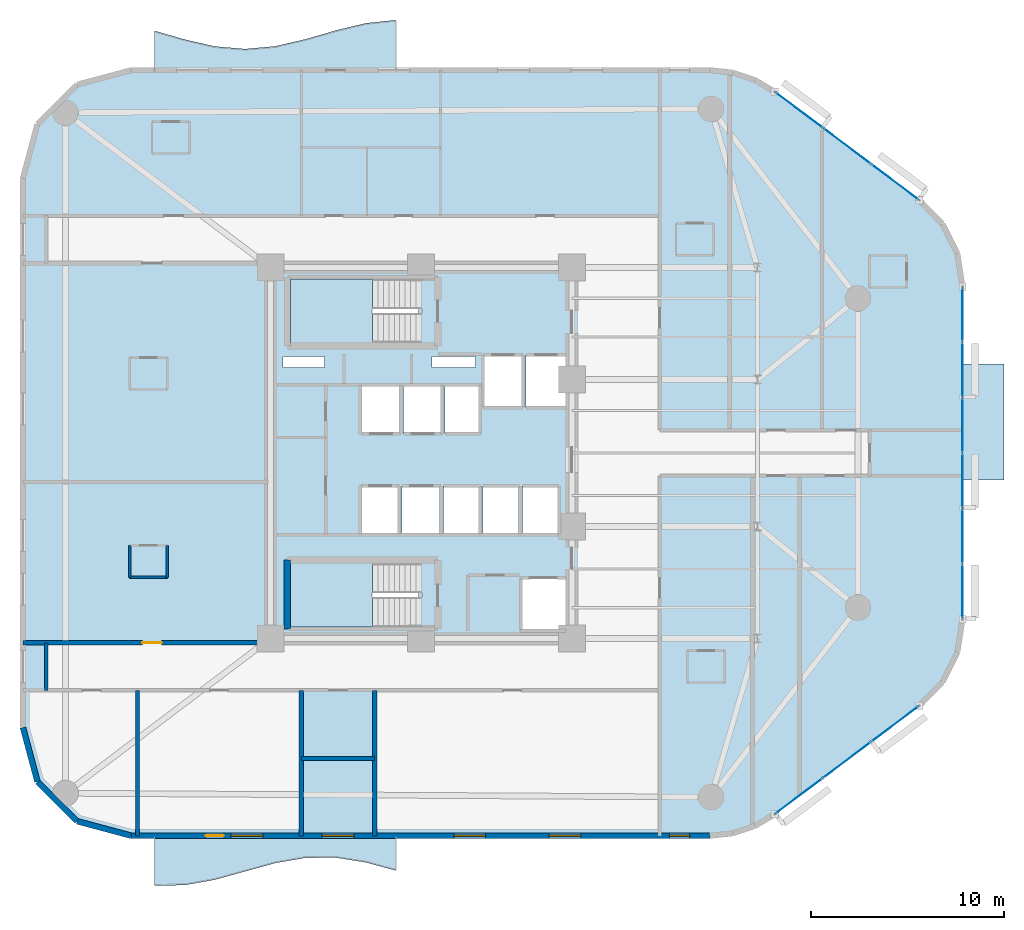
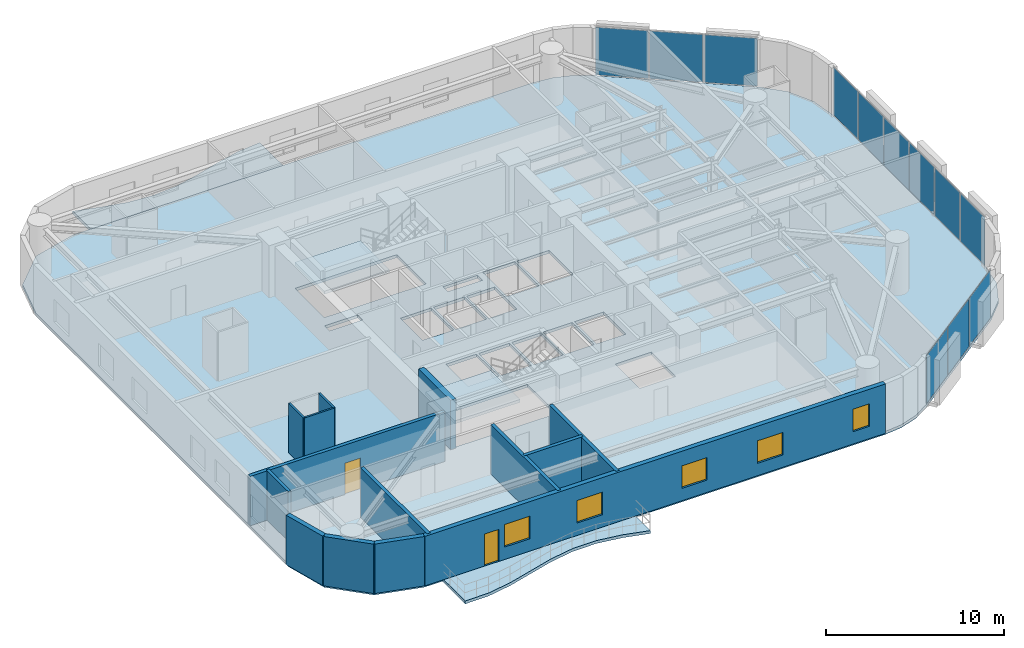
# One storey, part 9 of 16: 14 walls, 12 plates, 6 slabs, 5 windows, 2 doors, 7 openings, 5 elements without a shape of their own.
"""IFC4 building model written with IfcOpenShell, lengths in metres."""

from ifc_helpers import new_model, si_unit, direction, frame, frame_2d, origin, origin_2d, place, context, subcontext, project, spatial, polyline, rectangle, outline, extrude, material, layer, layer_set, type_object, element, fill, aggregate, save


model = new_model("IFC4")

# Units and contexts
model_context = context("Model", 3, precision=1e-05, world=origin(), true_north=direction((0.0, 1.0)))
body_context = subcontext(model_context, "Body", "Model", "MODEL_VIEW")
ifc_project = project(units=[si_unit("LENGTHUNIT", "METRE"), si_unit("AREAUNIT", "SQUARE_METRE"), si_unit("VOLUMEUNIT", "CUBIC_METRE"), si_unit("PLANEANGLEUNIT", "RADIAN"), si_unit("MASSUNIT", "GRAM", prefix="KILO")], contexts=[model_context])

# Site, building, storey
site_placement = place(None, origin())
site = spatial("IfcSite", under=ifc_project, at=site_placement, CompositionType="ELEMENT")
building_placement = place(site_placement, origin())
building = spatial("IfcBuilding", under=site, at=building_placement, Name="An Khanh Terracotta Commons", CompositionType="ELEMENT")
storey_placement = place(building_placement, frame((0.0, 0.0, 97.10009765625)))
storey = spatial("IfcBuildingStorey", under=building, at=storey_placement, Name="L25", CompositionType="ELEMENT", Elevation=97.10009765625)

# Curtain wall, plates
ifc_material_1 = material(Name="Anodised Aluminium 6063-T6", Category="aluminium")
ifc_layer_1 = layer(ifc_material_1, 0.199951171875, Name="Anodised Aluminium 6063-T6")
ifc_layer_set_1 = layer_set([ifc_layer_1], Name="Anodised Aluminium 6063-T6")
curtain_wall_type = type_object("IfcCurtainWallType", Name="CW-SYS-02", PredefinedType="USERDEFINED", material=ifc_layer_set_1)
curtain_wall_1_placement = place(storey_placement, origin())
curtain_wall_1 = element("IfcCurtainWall", 1, at=curtain_wall_1_placement, inside=storey, type_object=curtain_wall_type, Name="L25 CW-02 Unitised Curtain Wall CW-L25-08", ObjectType="UNITISED CURTAIN WALL", PredefinedType="USERDEFINED")
ifc_material_2 = material(Name="Double Low-E Solar Control Glazing", Category="glass")
ifc_layer_2 = layer(ifc_material_2, 0.028076171875, Name="Double Low-E Solar Control Glazing")
ifc_layer_set_2 = layer_set([ifc_layer_2], Name="Double Low-E Solar Control Glazing")
plate_type = type_object("IfcPlateType", Name="CWP-IGU-28", PredefinedType="CURTAIN_PANEL", material=ifc_layer_set_2)
plate_1_placement = place(storey_placement, frame((48.951416015625, 6.263916015625, 0.06005859375), z_axis=(0.0, 0.0, 1.0), x_axis=(0.800012856594, 0.599982857492, 0.0)))
plate_1 = element("IfcPlate", 2, at=plate_1_placement, type_object=plate_type, Name="CW-02 panel 1.1", PredefinedType="CURTAIN_PANEL", context=body_context, shape_type="SweptSolid", body=[
    extrude(rectangle(XDim=3.006103515625, YDim=0.028076171875, at=origin_2d()), origin(), (0.0, 0.0, 1.0), 3.280029296875),
])
plate_2_placement = place(storey_placement, frame((51.426513671875, 8.1201171875, 0.06005859375), z_axis=(0.0, 0.0, 1.0), x_axis=(0.800012856594, 0.599982857492, 0.0)))
plate_2 = element("IfcPlate", 3, at=plate_2_placement, type_object=plate_type, Name="CW-02 panel 2.1", PredefinedType="CURTAIN_PANEL", context=body_context, shape_type="SweptSolid", body=[
    extrude(rectangle(XDim=3.041259765625, YDim=0.028076171875, at=origin_2d()), origin(), (0.0, 0.0, 1.0), 3.280029296875),
])
plate_3_placement = place(storey_placement, frame((53.901611328125, 9.97607421875, 0.06005859375), z_axis=(0.0, 0.0, 1.0), x_axis=(0.800012856594, 0.599982857492, 0.0)))
plate_3 = element("IfcPlate", 4, at=plate_3_placement, type_object=plate_type, Name="CW-02 panel 3.1", PredefinedType="CURTAIN_PANEL", context=body_context, shape_type="SweptSolid", body=[
    extrude(rectangle(XDim=3.006103515625, YDim=0.028076171875, at=origin_2d()), origin(), (0.0, 0.0, 1.0), 3.280029296875),
])
aggregate(curtain_wall_1, [plate_1, plate_2, plate_3])

curtain_wall_2_placement = place(storey_placement, origin())
curtain_wall_2 = element("IfcCurtainWall", 5, at=curtain_wall_2_placement, inside=storey, type_object=curtain_wall_type, Name="L25 CW-02 Unitised Curtain Wall CW-L25-12", ObjectType="UNITISED CURTAIN WALL", PredefinedType="USERDEFINED")
plate_4_placement = place(storey_placement, frame((57.39990234375, 16.850830078125, 0.06005859375), z_axis=(0.0, 0.0, 1.0), x_axis=(0.0, 1.0, 0.0)))
plate_4 = element("IfcPlate", 6, at=plate_4_placement, type_object=plate_type, Name="CW-02 panel 1.1", PredefinedType="CURTAIN_PANEL", context=body_context, shape_type="SweptSolid", body=[
    extrude(rectangle(XDim=2.76171875, YDim=0.028076171875, at=origin_2d()), origin(), (0.0, 0.0, 1.0), 3.280029296875),
])
plate_5_placement = place(storey_placement, frame((57.39990234375, 19.699951171875, 0.06005859375), z_axis=(0.0, 0.0, 1.0), x_axis=(0.0, 1.0, 0.0)))
plate_5 = element("IfcPlate", 7, at=plate_5_placement, type_object=plate_type, Name="CW-02 panel 2.1", PredefinedType="CURTAIN_PANEL", context=body_context, shape_type="SweptSolid", body=[
    extrude(rectangle(XDim=2.796630859375, YDim=0.028076171875, at=origin_2d()), origin(), (0.0, 0.0, 1.0), 3.280029296875),
])
plate_6_placement = place(storey_placement, frame((57.39990234375, 22.566650390625, 0.06005859375), z_axis=(0.0, 0.0, 1.0), x_axis=(0.0, 1.0, 0.0)))
plate_6 = element("IfcPlate", 8, at=plate_6_placement, type_object=plate_type, Name="CW-02 panel 3.1", PredefinedType="CURTAIN_PANEL", context=body_context, shape_type="SweptSolid", body=[
    extrude(rectangle(XDim=2.796630859375, YDim=0.028076171875, at=origin_2d()), origin(), (0.0, 0.0, 1.0), 3.280029296875),
])
plate_7_placement = place(storey_placement, frame((57.39990234375, 25.433349609375, 0.06005859375), z_axis=(0.0, 0.0, 1.0), x_axis=(0.0, 1.0, 0.0)))
plate_7 = element("IfcPlate", 9, at=plate_7_placement, type_object=plate_type, Name="CW-02 panel 4.1", PredefinedType="CURTAIN_PANEL", context=body_context, shape_type="SweptSolid", body=[
    extrude(rectangle(XDim=2.796630859375, YDim=0.028076171875, at=origin_2d()), origin(), (0.0, 0.0, 1.0), 3.280029296875),
])
plate_8_placement = place(storey_placement, frame((57.39990234375, 28.300048828125, 0.06005859375), z_axis=(0.0, 0.0, 1.0), x_axis=(0.0, 1.0, 0.0)))
plate_8 = element("IfcPlate", 10, at=plate_8_placement, type_object=plate_type, Name="CW-02 panel 5.1", PredefinedType="CURTAIN_PANEL", context=body_context, shape_type="SweptSolid", body=[
    extrude(rectangle(XDim=2.796630859375, YDim=0.028076171875, at=origin_2d()), origin(), (0.0, 0.0, 1.0), 3.280029296875),
])
plate_9_placement = place(storey_placement, frame((57.39990234375, 31.149169921875, 0.06005859375), z_axis=(0.0, 0.0, 1.0), x_axis=(0.0, 1.0, 0.0)))
plate_9 = element("IfcPlate", 11, at=plate_9_placement, type_object=plate_type, Name="CW-02 panel 6.1", PredefinedType="CURTAIN_PANEL", context=body_context, shape_type="SweptSolid", body=[
    extrude(rectangle(XDim=2.76171875, YDim=0.028076171875, at=origin_2d()), origin(), (0.0, 0.0, 1.0), 3.280029296875),
])
aggregate(curtain_wall_2, [plate_4, plate_5, plate_6, plate_7, plate_8, plate_9])

curtain_wall_3_placement = place(storey_placement, origin())
curtain_wall_3 = element("IfcCurtainWall", 12, at=curtain_wall_3_placement, inside=storey, type_object=curtain_wall_type, Name="L25 CW-02 Unitised Curtain Wall CW-L25-16", ObjectType="UNITISED CURTAIN WALL", PredefinedType="USERDEFINED")
plate_10_placement = place(storey_placement, frame((53.901611328125, 38.02392578125, 0.06005859375), z_axis=(0.0, 0.0, 1.0), x_axis=(-0.800012856594, 0.599982857492, 0.0)))
plate_10 = element("IfcPlate", 13, at=plate_10_placement, type_object=plate_type, Name="CW-02 panel 1.1", PredefinedType="CURTAIN_PANEL", context=body_context, shape_type="SweptSolid", body=[
    extrude(rectangle(XDim=3.006103515625, YDim=0.028076171875, at=origin_2d()), origin(), (0.0, 0.0, 1.0), 3.280029296875),
])
plate_11_placement = place(storey_placement, frame((51.426513671875, 39.8798828125, 0.06005859375), z_axis=(0.0, 0.0, 1.0), x_axis=(-0.800012856594, 0.599982857492, 0.0)))
plate_11 = element("IfcPlate", 14, at=plate_11_placement, type_object=plate_type, Name="CW-02 panel 2.1", PredefinedType="CURTAIN_PANEL", context=body_context, shape_type="SweptSolid", body=[
    extrude(rectangle(XDim=3.041259765625, YDim=0.028076171875, at=origin_2d()), origin(), (0.0, 0.0, 1.0), 3.280029296875),
])
plate_12_placement = place(storey_placement, frame((48.951416015625, 41.736083984375, 0.06005859375), z_axis=(0.0, 0.0, 1.0), x_axis=(-0.800012856594, 0.599982857492, 0.0)))
plate_12 = element("IfcPlate", 15, at=plate_12_placement, type_object=plate_type, Name="CW-02 panel 3.1", PredefinedType="CURTAIN_PANEL", context=body_context, shape_type="SweptSolid", body=[
    extrude(rectangle(XDim=3.006103515625, YDim=0.028076171875, at=origin_2d()), origin(), (0.0, 0.0, 1.0), 3.280029296875),
])
aggregate(curtain_wall_3, [plate_10, plate_11, plate_12])

# Slabs
ifc_material_3 = material(Name="Concrete C40/50", Category="concrete")
ifc_layer_3 = layer(ifc_material_3, 0.199951171875, Name="Concrete C40/50")
ifc_layer_set_3 = layer_set([ifc_layer_3], Name="Concrete C40/50")
slab_type_1 = type_object("IfcSlabType", Name="SLAB-BALC-200", PredefinedType="FLOOR", material=ifc_layer_set_3)
slab_1_placement = place(storey_placement, frame((0.0, 0.0, -0.2001953125)))
element("IfcSlab", 16, at=slab_1_placement, inside=storey, type_object=slab_type_1, Name="L25 S Sinusoidal Wave Balcony Slab", PredefinedType="FLOOR", context=body_context, shape_type="SweptSolid", body=[
    extrude(outline(polyline([(15.60009765625, 4.199951171875), (15.60009765625, 1.6259765625), (17.1630859375, 1.64599609375), (18.72509765625, 1.923095703125), (20.2880859375, 2.35595703125), (21.85009765625, 2.787109375), (23.4130859375, 3.05810546875), (24.97509765625, 3.071044921875), (26.5380859375, 2.821044921875), (28.10009765625, 2.39892578125), (28.10009765625, 4.199951171875), (15.60009765625, 4.199951171875)])), origin(), (0.0, 0.0, 1.0), 0.2001953125),
])
slab_2_placement = place(storey_placement, frame((0.0, 0.0, -0.2001953125)))
element("IfcSlab", 17, at=slab_2_placement, inside=storey, type_object=slab_type_1, Name="L25 N Sinusoidal Wave Balcony Slab", PredefinedType="FLOOR", context=body_context, shape_type="SweptSolid", body=[
    extrude(outline(polyline([(28.10009765625, 43.800048828125), (28.10009765625, 46.39794921875), (26.5380859375, 46.23388671875), (24.97509765625, 45.85595703125), (23.4130859375, 45.403076171875), (21.85009765625, 45.0400390625), (20.2880859375, 44.89990234375), (18.72509765625, 45.032958984375), (17.1630859375, 45.39208984375), (15.60009765625, 45.843994140625), (15.60009765625, 43.800048828125), (28.10009765625, 43.800048828125)])), origin(), (0.0, 0.0, 1.0), 0.2001953125),
])
ifc_layer_4 = layer(ifc_material_3, 0.22998046875, Name="Concrete C40/50")
ifc_layer_set_4 = layer_set([ifc_layer_4], Name="Concrete C40/50")
slab_type_2 = type_object("IfcSlabType", Name="SLAB-BOXROOF-230", PredefinedType="ROOF", material=ifc_layer_set_4)
slab_3_placement = place(storey_placement, frame((0.0, 0.0, -0.2001953125)))
element("IfcSlab", 18, at=slab_3_placement, inside=storey, type_object=slab_type_2, Name="L25 Shifted Social Kitchen Box Closing Roof Slab (L24)", PredefinedType="ROOF", context=body_context, shape_type="SweptSolid", body=[
    extrude(outline(polyline([(57.39990234375, 22.60009765625), (59.550048828125, 22.60009765625), (59.550048828125, 28.60009765625), (57.39990234375, 28.60009765625), (57.39990234375, 22.60009765625)])), origin(), (0.0, 0.0, 1.0), 0.2001953125),
])

# Stair, slab
ifc_material_4 = material(Name="Precast concrete C40/50", Category="concrete")
stair_type = type_object("IfcStairType", Name="STAIR-CORE-1550", PredefinedType="HALF_TURN_STAIR", material=ifc_material_4)
stair_1_placement = place(storey_placement, origin())
stair_1 = element("IfcStair", 19, at=stair_1_placement, inside=storey, type_object=stair_type, Name="L25 Core Smokeproof Exit Stair ST-01", PredefinedType="HALF_TURN_STAIR")
ifc_layer_5 = layer(ifc_material_3, 0.18994140625, Name="Concrete C40/50")
ifc_layer_set_5 = layer_set([ifc_layer_5], Name="Concrete C40/50")
slab_type_3 = type_object("IfcSlabType", Name="SLAB-LANDING-190", PredefinedType="LANDING", material=ifc_layer_set_5)
slab_4_placement = place(storey_placement, frame((0.0, 0.0, 1.599853515625)))
slab_4 = element("IfcSlab", 20, at=slab_4_placement, type_object=slab_type_3, Name="ST-01 landing 1", PredefinedType="LANDING", context=body_context, shape_type="SweptSolid", body=[
    extrude(outline(polyline([(26.889892578125, 33.0), (22.64990234375, 33.0), (22.64990234375, 29.699951171875), (26.889892578125, 29.699951171875), (26.889892578125, 33.0)])), origin(), (0.0, 0.0, 1.0), 0.199951171875),
])
aggregate(stair_1, [slab_4])

stair_2_placement = place(storey_placement, origin())
stair_2 = element("IfcStair", 21, at=stair_2_placement, inside=storey, type_object=stair_type, Name="L25 Core Smokeproof Exit Stair ST-02", PredefinedType="HALF_TURN_STAIR")
slab_5_placement = place(storey_placement, frame((0.0, 0.0, 1.599853515625)))
slab_5 = element("IfcSlab", 22, at=slab_5_placement, type_object=slab_type_3, Name="ST-02 landing 1", PredefinedType="LANDING", context=body_context, shape_type="SweptSolid", body=[
    extrude(outline(polyline([(26.889892578125, 18.300048828125), (22.64990234375, 18.300048828125), (22.64990234375, 15.0), (26.889892578125, 15.0), (26.889892578125, 18.300048828125)])), origin(), (0.0, 0.0, 1.0), 0.199951171875),
])
aggregate(stair_2, [slab_5])

# Slab
ifc_layer_6 = layer(ifc_material_3, 0.199951171875, Name="Concrete C40/50")
ifc_layer_set_6 = layer_set([ifc_layer_6], Name="Concrete C40/50")
slab_type_4 = type_object("IfcSlabType", Name="SLAB-TYP-200", PredefinedType="FLOOR", material=ifc_layer_set_6)
slab_6_placement = place(storey_placement, frame((0.0, 0.0, -0.2001953125)))
element("IfcSlab", 23, at=slab_6_placement, inside=storey, type_object=slab_type_4, Name="L25 Structural Floor Slab", PredefinedType="FLOOR", context=body_context, shape_type="SweptSolid", body=[
    extrude(outline(polyline([(8.800048828125, 9.800048828125), (9.550048828125, 7.0), (11.60009765625, 4.949951171875), (14.39990234375, 4.199951171875), (44.3330078125, 4.199951171875), (45.52490234375, 4.327880859375), (46.6630859375, 4.70703125), (47.693115234375, 5.320068359375), (55.159912109375, 10.919921875), (56.364013671875, 12.154052734375), (57.135009765625, 13.696044921875), (57.39990234375, 15.39990234375), (57.39990234375, 32.60009765625), (57.135009765625, 34.303955078125), (56.364013671875, 35.845947265625), (55.159912109375, 37.080078125), (47.693115234375, 42.679931640625), (46.6630859375, 43.29296875), (45.52490234375, 43.672119140625), (44.3330078125, 43.800048828125), (14.39990234375, 43.800048828125), (11.60009765625, 43.050048828125), (9.550048828125, 41.0), (8.800048828125, 38.199951171875), (8.800048828125, 9.800048828125)]), holes=[polyline([(22.64990234375, 29.699951171875), (29.27001953125, 29.699951171875), (29.27001953125, 33.0), (22.64990234375, 33.0), (22.64990234375, 29.699951171875)]), polyline([(22.64990234375, 15.0), (29.27001953125, 15.0), (29.27001953125, 18.300048828125), (22.64990234375, 18.300048828125), (22.64990234375, 15.0)]), polyline([(32.60009765625, 26.35009765625), (34.679931640625, 26.35009765625), (34.679931640625, 29.080078125), (32.60009765625, 29.080078125), (32.60009765625, 26.35009765625)]), polyline([(34.820068359375, 26.35009765625), (36.89990234375, 26.35009765625), (36.89990234375, 29.080078125), (34.820068359375, 29.080078125), (34.820068359375, 26.35009765625)]), polyline([(34.550048828125, 14.800048828125), (36.89990234375, 14.800048828125), (36.89990234375, 17.550048828125), (34.550048828125, 17.550048828125), (34.550048828125, 14.800048828125)]), polyline([(26.320068359375, 25.0), (28.340087890625, 25.0), (28.340087890625, 27.5), (26.320068359375, 27.5), (26.320068359375, 25.0)]), polyline([(28.47998046875, 25.0), (30.5, 25.0), (30.5, 27.5), (28.47998046875, 27.5), (28.47998046875, 25.0)]), polyline([(26.280029296875, 19.800048828125), (28.280029296875, 19.800048828125), (28.280029296875, 22.300048828125), (26.280029296875, 22.300048828125), (26.280029296875, 19.800048828125)]), polyline([(28.419921875, 19.800048828125), (30.419921875, 19.800048828125), (30.419921875, 22.300048828125), (28.419921875, 22.300048828125), (28.419921875, 19.800048828125)]), polyline([(30.639892578125, 25.0), (32.4599609375, 25.0), (32.4599609375, 27.5), (30.639892578125, 27.5), (30.639892578125, 25.0)]), polyline([(30.56005859375, 19.800048828125), (32.4599609375, 19.800048828125), (32.4599609375, 22.300048828125), (30.56005859375, 22.300048828125), (30.56005859375, 19.800048828125)]), polyline([(32.60009765625, 19.800048828125), (34.5, 19.800048828125), (34.5, 22.300048828125), (32.60009765625, 22.300048828125), (32.60009765625, 19.800048828125)]), polyline([(34.639892578125, 19.800048828125), (36.5400390625, 19.800048828125), (36.5400390625, 22.300048828125), (34.639892578125, 22.300048828125), (34.639892578125, 19.800048828125)]), polyline([(22.25, 28.419921875), (24.39990234375, 28.419921875), (24.39990234375, 28.97998046875), (22.25, 28.97998046875), (22.25, 28.419921875)]), polyline([(29.949951171875, 28.419921875), (32.199951171875, 28.419921875), (32.199951171875, 28.97998046875), (29.949951171875, 28.97998046875), (29.949951171875, 28.419921875)])]), origin(), (0.0, 0.0, 1.0), 0.2001953125),
])

# Walls
ifc_material_5 = material(Name="Fire-Rated Gypsum Board on Steel Stud", Category="steel")
ifc_layer_7 = layer(ifc_material_5, 0.179931640625, Name="Fire-Rated Gypsum Board on Steel Stud")
ifc_layer_set_7 = layer_set([ifc_layer_7], Name="Fire-Rated Gypsum Board on Steel Stud")
wall_type_1 = type_object("IfcWallType", Name="WALL-CORR-180", PredefinedType="PARTITIONING", material=ifc_layer_set_7)
wall_1_placement = place(storey_placement, frame((10.0, 11.719970703125, 0.0), z_axis=(0.0, 0.0, 1.0), x_axis=(0.0, 1.0, 0.0)))
element("IfcWall", 24, at=wall_1_placement, inside=storey, type_object=wall_type_1, Name="L25 Interior Partition IW-L25-E010", PredefinedType="PARTITIONING", context=body_context, shape_type="SweptSolid", body=[
    extrude(rectangle(XDim=2.4599609375, YDim=0.179931640625, at=frame_2d((1.22998046875, 0.0))), origin(), (0.0, 0.0, 1.0), 3.39990234375),
])
ifc_layer_8 = layer(ifc_material_4, 0.300048828125, Name="Precast concrete C40/50")
ifc_layer_set_8 = layer_set([ifc_layer_8], Name="Precast concrete C40/50")
wall_type_2 = type_object("IfcWallType", Name="WALL-EXT-300", PredefinedType="SOLIDWALL", material=ifc_layer_set_8)
wall_2_placement = place(storey_placement, frame((8.800048828125, 9.800048828125, 0.0), z_axis=(0.0, 0.0, 1.0), x_axis=(0.258731875344, -0.96594917914, 0.0)))
element("IfcWall", 25, at=wall_2_placement, inside=storey, type_object=wall_type_2, Name="L25 Insulated Terracotta Exterior Wall 1", PredefinedType="SOLIDWALL", context=body_context, shape_type="SweptSolid", body=[
    extrude(rectangle(XDim=2.898681640625, YDim=0.300048828125, at=frame_2d((1.44921875, 0.0))), origin(), (0.0, 0.0, 1.0), 3.39990234375),
])
wall_3_placement = place(storey_placement, frame((9.550048828125, 7.0, 0.0), z_axis=(0.0, 0.0, 1.0), x_axis=(0.707106781187, -0.707106781187, 0.0)))
element("IfcWall", 26, at=wall_3_placement, inside=storey, type_object=wall_type_2, Name="L25 Insulated Terracotta Exterior Wall 2", PredefinedType="SOLIDWALL", context=body_context, shape_type="SweptSolid", body=[
    extrude(rectangle(XDim=2.899169921875, YDim=0.300048828125, at=frame_2d((1.44970703125, 0.0))), origin(), (0.0, 0.0, 1.0), 3.39990234375),
])
wall_4_placement = place(storey_placement, frame((11.60009765625, 4.949951171875, 0.0), z_axis=(0.0, 0.0, 1.0), x_axis=(0.965943540406, -0.258752926066, 0.0)))
element("IfcWall", 27, at=wall_4_placement, inside=storey, type_object=wall_type_2, Name="L25 Insulated Terracotta Exterior Wall 3", PredefinedType="SOLIDWALL", context=body_context, shape_type="SweptSolid", body=[
    extrude(rectangle(XDim=2.8984375, YDim=0.300048828125, at=frame_2d((1.44921875, 0.0))), origin(), (0.0, 0.0, 1.0), 3.39990234375),
])

# Wall, openings, door, windows
wall_5_placement = place(storey_placement, frame((14.39990234375, 4.199951171875, 0.0), z_axis=(0.0, 0.0, 1.0), x_axis=(1.0, 0.0, 0.0)))
wall_5 = element("IfcWall", 28, at=wall_5_placement, inside=storey, type_object=wall_type_2, Name="L25 Insulated Terracotta Exterior Wall 4", PredefinedType="SOLIDWALL", context=body_context, shape_type="SweptSolid", body=[
    extrude(rectangle(XDim=29.93310546875, YDim=0.300048828125, at=frame_2d((14.966552734375, 0.0))), origin(), (0.0, 0.0, 1.0), 3.39990234375),
])
opening_1_placement = place(wall_5_placement, frame((3.85009765625, 0.0, 0.0)))
opening_1 = element("IfcOpeningElement", 29, at=opening_1_placement, cuts=wall_5, Name="Opening D-BAL", PredefinedType="OPENING", context=body_context, shape_type="SweptSolid", body=[
    extrude(rectangle(XDim=0.949951171875, YDim=2.199951171875, at=frame_2d((0.47509765625, 1.10009765625))), frame((0.0, 0.159912109375, 0.0), z_axis=(0.0, -1.0, 0.0), x_axis=(1.0, 0.0, 0.0)), (0.0, 0.0, 1.0), 0.320068359375),
])
opening_2_placement = place(wall_5_placement, frame((5.157958984375, 0.0, 0.85009765625)))
opening_2 = element("IfcOpeningElement", 30, at=opening_2_placement, cuts=wall_5, Name="Opening W-02", PredefinedType="OPENING", context=body_context, shape_type="SweptSolid", body=[
    extrude(rectangle(XDim=1.64990234375, YDim=1.550048828125, at=frame_2d((0.824951171875, 0.77490234375))), frame((0.0, 0.159912109375, 0.0), z_axis=(0.0, -1.0, 0.0), x_axis=(1.0, 0.0, 0.0)), (0.0, 0.0, 1.0), 0.320068359375),
])
opening_3_placement = place(wall_5_placement, frame((9.875, 0.0, 0.85009765625)))
opening_3 = element("IfcOpeningElement", 31, at=opening_3_placement, cuts=wall_5, Name="Opening W-02", PredefinedType="OPENING", context=body_context, shape_type="SweptSolid", body=[
    extrude(rectangle(XDim=1.64990234375, YDim=1.550048828125, at=frame_2d((0.824951171875, 0.77490234375))), frame((0.0, 0.159912109375, 0.0), z_axis=(0.0, -1.0, 0.0), x_axis=(1.0, 0.0, 0.0)), (0.0, 0.0, 1.0), 0.320068359375),
])
opening_4_placement = place(wall_5_placement, frame((16.69189453125, 0.0, 0.85009765625)))
opening_4 = element("IfcOpeningElement", 32, at=opening_4_placement, cuts=wall_5, Name="Opening W-02", PredefinedType="OPENING", context=body_context, shape_type="SweptSolid", body=[
    extrude(rectangle(XDim=1.64990234375, YDim=1.550048828125, at=frame_2d((0.824951171875, 0.77490234375))), frame((0.0, 0.159912109375, 0.0), z_axis=(0.0, -1.0, 0.0), x_axis=(1.0, 0.0, 0.0)), (0.0, 0.0, 1.0), 0.320068359375),
])
opening_5_placement = place(wall_5_placement, frame((21.60791015625, 0.0, 0.85009765625)))
opening_5 = element("IfcOpeningElement", 33, at=opening_5_placement, cuts=wall_5, Name="Opening W-02", PredefinedType="OPENING", context=body_context, shape_type="SweptSolid", body=[
    extrude(rectangle(XDim=1.64990234375, YDim=1.550048828125, at=frame_2d((0.824951171875, 0.77490234375))), frame((0.0, 0.159912109375, 0.0), z_axis=(0.0, -1.0, 0.0), x_axis=(1.0, 0.0, 0.0)), (0.0, 0.0, 1.0), 0.320068359375),
])
opening_6_placement = place(wall_5_placement, frame((27.8359375, 0.0, 0.85009765625)))
opening_6 = element("IfcOpeningElement", 34, at=opening_6_placement, cuts=wall_5, Name="Opening W-06", PredefinedType="OPENING", context=body_context, shape_type="SweptSolid", body=[
    extrude(rectangle(XDim=1.050048828125, YDim=1.550048828125, at=frame_2d((0.52490234375, 0.77490234375))), frame((0.0, 0.159912109375, 0.0), z_axis=(0.0, -1.0, 0.0), x_axis=(1.0, 0.0, 0.0)), (0.0, 0.0, 1.0), 0.320068359375),
])
ifc_material_6 = material(Name="Thermally Broken Aluminium and Low-E Glass", Category="aluminium")
door_type_1 = type_object("IfcDoorType", Name="DOOR-BALC-950", OperationType="NOTDEFINED", PredefinedType="DOOR", material=ifc_material_6)
door_1_placement = place(opening_1_placement, origin())
door_1 = element("IfcDoor", 35, at=door_1_placement, inside=storey, type_object=door_type_1, Name="L25 S Wave Balcony Glazed Door", OperationType="SINGLE_SWING_LEFT", OverallHeight=2.199951171875, OverallWidth=0.949951171875, PredefinedType="DOOR", context=body_context, shape_type="SweptSolid", body=[
    extrude(rectangle(XDim=0.949951171875, YDim=2.199951171875, at=frame_2d((0.47509765625, 1.10009765625))), frame((0.0, 0.02490234375, 0.0), z_axis=(0.0, -1.0, 0.0), x_axis=(1.0, 0.0, 0.0)), (0.0, 0.0, 1.0), 0.050048828125),
])
fill(opening_1, door_1)
window_type_1 = type_object("IfcWindowType", Name="WIN-COR-1050x1550", PartitioningType="SINGLE_PANEL", PredefinedType="WINDOW", material=ifc_material_6)
window_1_placement = place(opening_6_placement, origin())
window_1 = element("IfcWindow", 36, at=window_1_placement, inside=storey, type_object=window_type_1, Name="L25 L25-SB1 Dwelling Casement Window", OverallHeight=1.550048828125, OverallWidth=1.050048828125, PartitioningType="SINGLE_PANEL", PredefinedType="WINDOW", context=body_context, shape_type="SweptSolid", body=[
    extrude(rectangle(XDim=1.050048828125, YDim=1.550048828125, at=frame_2d((0.52490234375, 0.77490234375))), frame((0.0, 0.030029296875, 0.0), z_axis=(0.0, -1.0, 0.0), x_axis=(1.0, 0.0, 0.0)), (0.0, 0.0, 1.0), 0.06005859375),
])
fill(opening_6, window_1)
window_type_2 = type_object("IfcWindowType", Name="WIN-Z2-1650x1550", PartitioningType="DOUBLE_PANEL_VERTICAL", PredefinedType="WINDOW", material=ifc_material_6)
window_2_placement = place(opening_2_placement, origin())
window_2 = element("IfcWindow", 37, at=window_2_placement, inside=storey, type_object=window_type_2, Name="L25 Operable Casement Window 4.1", OverallHeight=1.550048828125, OverallWidth=1.64990234375, PartitioningType="DOUBLE_PANEL_VERTICAL", PredefinedType="WINDOW", context=body_context, shape_type="SweptSolid", body=[
    extrude(rectangle(XDim=1.64990234375, YDim=1.550048828125, at=frame_2d((0.824951171875, 0.77490234375))), frame((0.0, 0.030029296875, 0.0), z_axis=(0.0, -1.0, 0.0), x_axis=(1.0, 0.0, 0.0)), (0.0, 0.0, 1.0), 0.06005859375),
])
fill(opening_2, window_2)
window_3_placement = place(opening_3_placement, origin())
window_3 = element("IfcWindow", 38, at=window_3_placement, inside=storey, type_object=window_type_2, Name="L25 Operable Casement Window 4.2", OverallHeight=1.550048828125, OverallWidth=1.64990234375, PartitioningType="DOUBLE_PANEL_VERTICAL", PredefinedType="WINDOW", context=body_context, shape_type="SweptSolid", body=[
    extrude(rectangle(XDim=1.64990234375, YDim=1.550048828125, at=frame_2d((0.824951171875, 0.77490234375))), frame((0.0, 0.030029296875, 0.0), z_axis=(0.0, -1.0, 0.0), x_axis=(1.0, 0.0, 0.0)), (0.0, 0.0, 1.0), 0.06005859375),
])
fill(opening_3, window_3)
window_4_placement = place(opening_4_placement, origin())
window_4 = element("IfcWindow", 39, at=window_4_placement, inside=storey, type_object=window_type_2, Name="L25 Operable Casement Window 4.3", OverallHeight=1.550048828125, OverallWidth=1.64990234375, PartitioningType="DOUBLE_PANEL_VERTICAL", PredefinedType="WINDOW", context=body_context, shape_type="SweptSolid", body=[
    extrude(rectangle(XDim=1.64990234375, YDim=1.550048828125, at=frame_2d((0.824951171875, 0.77490234375))), frame((0.0, 0.030029296875, 0.0), z_axis=(0.0, -1.0, 0.0), x_axis=(1.0, 0.0, 0.0)), (0.0, 0.0, 1.0), 0.06005859375),
])
fill(opening_4, window_4)
window_5_placement = place(opening_5_placement, origin())
window_5 = element("IfcWindow", 40, at=window_5_placement, inside=storey, type_object=window_type_2, Name="L25 Operable Casement Window 4.4", OverallHeight=1.550048828125, OverallWidth=1.64990234375, PartitioningType="DOUBLE_PANEL_VERTICAL", PredefinedType="WINDOW", context=body_context, shape_type="SweptSolid", body=[
    extrude(rectangle(XDim=1.64990234375, YDim=1.550048828125, at=frame_2d((0.824951171875, 0.77490234375))), frame((0.0, 0.030029296875, 0.0), z_axis=(0.0, -1.0, 0.0), x_axis=(1.0, 0.0, 0.0)), (0.0, 0.0, 1.0), 0.06005859375),
])
fill(opening_5, window_5)

# Wall
ifc_material_7 = material(Name="Acoustic Double-Stud Gypsum and Mineral Wool")
ifc_layer_9 = layer(ifc_material_7, 0.219970703125, Name="Acoustic Double-Stud Gypsum and Mineral Wool")
ifc_layer_set_9 = layer_set([ifc_layer_9], Name="Acoustic Double-Stud Gypsum and Mineral Wool")
wall_type_3 = type_object("IfcWallType", Name="WALL-PARTY-220", PredefinedType="PARTITIONING", material=ifc_layer_set_9)
wall_6_placement = place(storey_placement, frame((23.199951171875, 8.199951171875, 0.0), z_axis=(0.0, 0.0, 1.0), x_axis=(1.0, 0.0, 0.0)))
element("IfcWall", 41, at=wall_6_placement, inside=storey, type_object=wall_type_3, Name="L25 Interior Partition IW-L25-E001", PredefinedType="PARTITIONING", context=body_context, shape_type="SweptSolid", body=[
    extrude(rectangle(XDim=3.800048828125, YDim=0.219970703125, at=frame_2d((1.89990234375, 0.0))), origin(), (0.0, 0.0, 1.0), 3.39990234375),
])

# Wall, opening, door
wall_7_placement = place(storey_placement, frame((8.800048828125, 14.179931640625, 0.0), z_axis=(0.0, 0.0, 1.0), x_axis=(1.0, 0.0, 0.0)))
wall_7 = element("IfcWall", 42, at=wall_7_placement, inside=storey, type_object=wall_type_3, Name="L25 Interior Partition IW-L25-E003", PredefinedType="PARTITIONING", context=body_context, shape_type="SweptSolid", body=[
    extrude(rectangle(XDim=12.679931640625, YDim=0.219970703125, at=frame_2d((6.33984375, 0.0))), origin(), (0.0, 0.0, 1.0), 3.39990234375),
])
opening_7_placement = place(wall_7_placement, frame((6.179931640625, 0.0, 0.0)))
opening_7 = element("IfcOpeningElement", 43, at=opening_7_placement, cuts=wall_7, Name="Opening D-UN", PredefinedType="OPENING", context=body_context, shape_type="SweptSolid", body=[
    extrude(rectangle(XDim=1.0, YDim=2.14990234375, at=frame_2d((0.5, 1.074951171875))), frame((0.0, 0.119873046875, 0.0), z_axis=(0.0, -1.0, 0.0), x_axis=(1.0, 0.0, 0.0)), (0.0, 0.0, 1.0), 0.239990234375),
])
ifc_material_8 = material(Name="Solid-Core Hardwood Acoustic Fire Door", Category="wood")
door_type_2 = type_object("IfcDoorType", Name="DOOR-UNIT-1000", OperationType="NOTDEFINED", PredefinedType="DOOR", material=ifc_material_8)
door_2_placement = place(opening_7_placement, origin())
door_2 = element("IfcDoor", 44, at=door_2_placement, inside=storey, type_object=door_type_2, Name="L25 WW1 Kitchenette and Studio Apartment Door", OperationType="SINGLE_SWING_RIGHT", OverallHeight=2.14990234375, OverallWidth=1.0, PredefinedType="DOOR", context=body_context, shape_type="SweptSolid", body=[
    extrude(rectangle(XDim=1.0, YDim=2.14990234375, at=frame_2d((0.5, 1.074951171875))), frame((0.0, 0.02490234375, 0.0), z_axis=(0.0, -1.0, 0.0), x_axis=(1.0, 0.0, 0.0)), (0.0, 0.0, 1.0), 0.050048828125),
])
fill(opening_7, door_2)

# Walls
for number, where, z_axis, x_axis, name in (
    (45, (14.721923828125, 4.199951171875, 0.0), (0.0, 0.0, 1.0), (0.0, 1.0, 0.0), "L25 Interior Partition IW-L25-E012"),
    (46, (23.199951171875, 4.199951171875, 0.0), (0.0, 0.0, 1.0), (0.0, 1.0, 0.0), "L25 Interior Partition IW-L25-E013"),
    (47, (27.0, 4.199951171875, 0.0), (0.0, 0.0, 1.0), (0.0, 1.0, 0.0), "L25 Interior Partition IW-L25-E016"),
):
    element("IfcWall", number, at=place(storey_placement, frame(where, z_axis=z_axis, x_axis=x_axis)), inside=storey, type_object=wall_type_3, Name=name, PredefinedType="PARTITIONING", context=body_context, shape_type="SweptSolid", body=[
        extrude(rectangle(XDim=7.52001953125, YDim=0.219970703125, at=frame_2d((3.760009765625, 0.0))), origin(), (0.0, 0.0, 1.0), 3.39990234375),
    ])
ifc_material_9 = material(Name="Concrete C50/60", Category="concrete")
ifc_layer_10 = layer(ifc_material_9, 0.35009765625, Name="Concrete C50/60")
ifc_layer_set_10 = layer_set([ifc_layer_10], Name="Concrete C50/60")
wall_type_4 = type_object("IfcWallType", Name="WALL-SHAFT-350", PredefinedType="SOLIDWALL", material=ifc_layer_set_10)
wall_8_placement = place(storey_placement, frame((22.47998046875, 14.889892578125, 0.0), z_axis=(0.0, 0.0, 1.0), x_axis=(0.0, 1.0, 0.0)))
element("IfcWall", 48, at=wall_8_placement, inside=storey, type_object=wall_type_4, Name="L25 Core Wall STW-L25-S-W", PredefinedType="SOLIDWALL", context=body_context, shape_type="SweptSolid", body=[
    extrude(rectangle(XDim=3.580078125, YDim=0.35009765625, at=frame_2d((1.7900390625, 0.0))), origin(), (0.0, 0.0, 1.0), 3.39990234375),
])
ifc_material_10 = material(Name="Moisture-Resistant Cement Board Partition")
ifc_layer_11 = layer(ifc_material_10, 0.1201171875, Name="Moisture-Resistant Cement Board Partition")
ifc_layer_set_11 = layer_set([ifc_layer_11], Name="Moisture-Resistant Cement Board Partition")
wall_type_5 = type_object("IfcWallType", Name="WALL-WET-120", PredefinedType="PARTITIONING", material=ifc_layer_set_11)
wall_9_placement = place(storey_placement, frame((16.27490234375, 17.56494140625, 0.0), z_axis=(0.0, 0.0, 1.0), x_axis=(-1.0, 0.0, 0.0)))
element("IfcWall", 49, at=wall_9_placement, inside=storey, type_object=wall_type_5, Name="L25 Interior Partition IW-L25-WW1-BS", PredefinedType="PARTITIONING", context=body_context, shape_type="SweptSolid", body=[
    extrude(rectangle(XDim=1.949951171875, YDim=0.1201171875, at=frame_2d((0.97509765625, 0.0))), origin(), (0.0, 0.0, 1.0), 3.39990234375),
])
for number, where, z_axis, x_axis, name in (
    (50, (14.324951171875, 19.215087890625, 0.0), (0.0, 0.0, 1.0), (0.0, -1.0, 0.0), "L25 Interior Partition IW-L25-WW1-BW"),
    (51, (16.27490234375, 17.56494140625, 0.0), (0.0, 0.0, 1.0), (0.0, 1.0, 0.0), "L25 Interior Partition IW-L25-WW1-BE"),
):
    element("IfcWall", number, at=place(storey_placement, frame(where, z_axis=z_axis, x_axis=x_axis)), inside=storey, type_object=wall_type_5, Name=name, PredefinedType="PARTITIONING", context=body_context, shape_type="SweptSolid", body=[
        extrude(rectangle(XDim=1.650146484375, YDim=0.1201171875, at=frame_2d((0.8251953125, 0.0))), origin(), (0.0, 0.0, 1.0), 3.39990234375),
    ])

save(model, "model.ifc")
